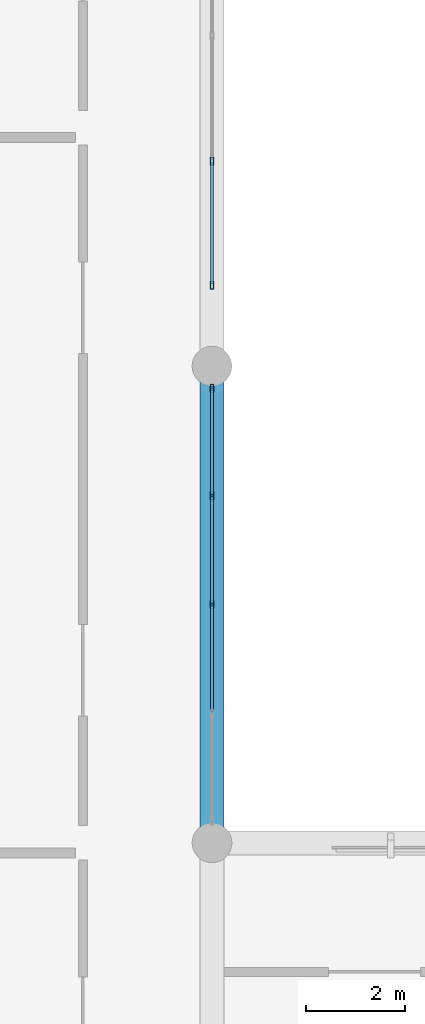
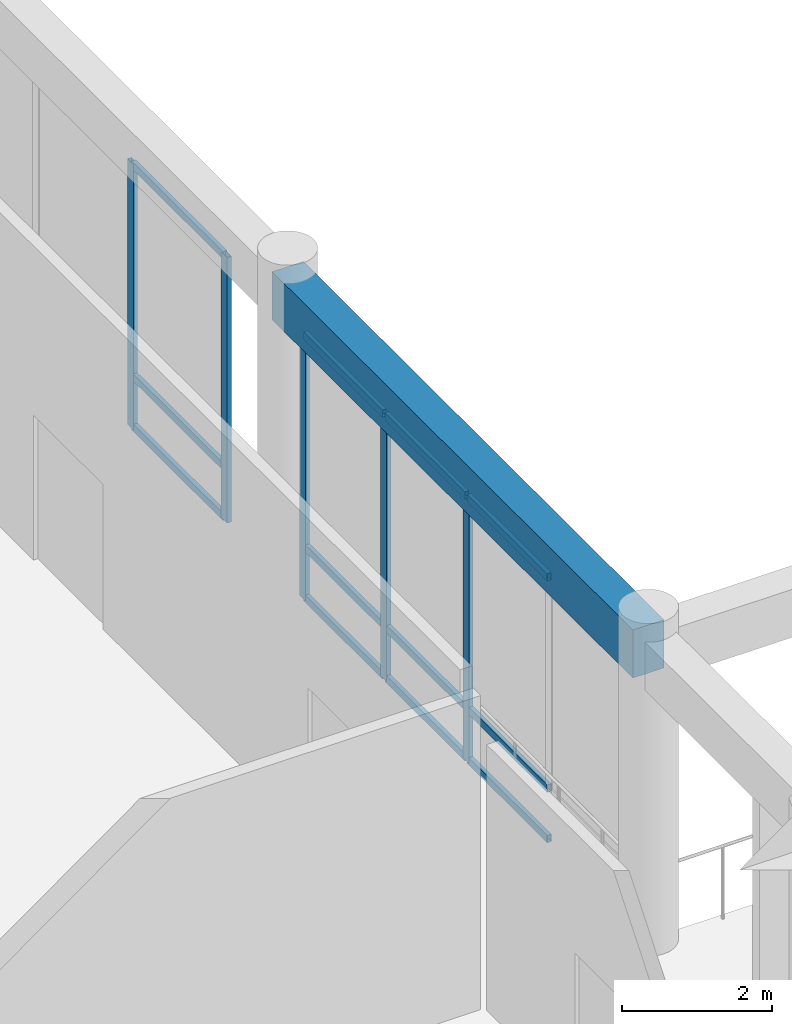
# One storey, part 28 of 134: 17 members, 1 beam, 2 elements without a shape of their own.
"""IFC4 building model written with IfcOpenShell, lengths in metres."""

from ifc_helpers import new_model, si_unit, direction, frame, origin, origin_2d, place, context, subcontext, project, spatial, rectangle, hollow_rectangle, extrude, material, layer, layer_set, material_profile, profile_set, type_object, element, aggregate, save


model = new_model("IFC4")

# Units and contexts
model_context = context("Model", 3, precision=1e-05, world=origin(), true_north=direction((0.0, 1.0)))
body_context = subcontext(model_context, "Body", "Model", "MODEL_VIEW")
ifc_project = project(units=[si_unit("LENGTHUNIT", "METRE"), si_unit("AREAUNIT", "SQUARE_METRE"), si_unit("VOLUMEUNIT", "CUBIC_METRE"), si_unit("PLANEANGLEUNIT", "RADIAN"), si_unit("MASSUNIT", "GRAM", prefix="KILO")], contexts=[model_context])

# Site, building, storey
site_placement = place(None, origin())
site = spatial("IfcSite", under=ifc_project, at=site_placement, CompositionType="ELEMENT")
building_placement = place(site_placement, origin())
building = spatial("IfcBuilding", under=site, at=building_placement, Name="Nakhvara Creek Congress Hotel", CompositionType="ELEMENT")
storey_placement = place(building_placement, frame((0.0, 0.0, 6.0)))
storey = spatial("IfcBuildingStorey", under=building, at=storey_placement, Name="L01", CompositionType="ELEMENT", Elevation=6.0)

# Beam
ifc_material_1 = material(Name="Concrete C40/50", Category="concrete")
ifc_material_profile_1 = material_profile(ifc_material_1, rectangle(XDim=0.47998046875, YDim=0.780029296875, at=origin_2d()), Name="RC-BM 480x780", Category="LoadBearing")
ifc_profile_set_1 = profile_set([ifc_material_profile_1], Name="Concrete C40/50")
beam_type = type_object("IfcBeamType", Name="BM-RC-480X780", PredefinedType="BEAM", material=ifc_profile_set_1)
beam_placement = place(storey_placement, frame((76.800048828125, 43.199951171875, 4.7099609375), z_axis=(0.0, 1.0, 0.0), x_axis=(-1.0, 0.0, 0.0)))
element("IfcBeam", 1, at=beam_placement, inside=storey, type_object=beam_type, Name="Beam B13-L01-1154", PredefinedType="BEAM", context=body_context, shape_type="SweptSolid", body=[
    extrude(rectangle(XDim=0.47998046875, YDim=0.780029296875, at=origin_2d()), origin(), (0.0, 0.0, 1.0), 9.60009765625),
])

# Curtain wall, members
ifc_material_2 = material(Name="Bronze-anodised aluminium AW-6063-T6 and double-silver low-E glass", Category="aluminium")
ifc_layer = layer(ifc_material_2, 0.199951171875)
ifc_layer_set = layer_set([ifc_layer], Name="Bronze-anodised aluminium AW-6063-T6 and double-silver low-E glass")
curtain_wall_type = type_object("IfcCurtainWallType", Name="CW-POD-STICK", PredefinedType="NOTDEFINED", material=ifc_layer_set)
curtain_wall_1_placement = place(storey_placement, origin())
curtain_wall_1 = element("IfcCurtainWall", 2, at=curtain_wall_1_placement, inside=storey, type_object=curtain_wall_type, Name="Curtain Wall CW027", PredefinedType="NOTDEFINED")
ifc_material_3 = material(Name="Bronze-anodised aluminium AW-6063-T6", Category="aluminium")
ifc_material_profile_2 = material_profile(ifc_material_3, hollow_rectangle(XDim=0.06494140625, YDim=0.159912109375, WallThickness=0.00390625, at=origin_2d()), Name="ALU-MULL 65x160x4", Category="LoadBearing")
ifc_profile_set_2 = profile_set([ifc_material_profile_2], Name="Bronze-anodised aluminium AW-6063-T6")
member_type_1 = type_object("IfcMemberType", Name="CW-MULL-160", PredefinedType="MULLION", material=ifc_profile_set_2)
member_1_placement = place(storey_placement, frame((76.800048828125, 52.3525390625, 0.0), z_axis=(0.0, 0.0, 1.0), x_axis=(1.0, 0.0, 0.0)))
member_1 = element("IfcMember", 3, at=member_1_placement, type_object=member_type_1, Name="CW027 mullion 1", PredefinedType="MULLION", context=body_context, shape_type="SweptSolid", body=[
    extrude(hollow_rectangle(XDim=0.06494140625, YDim=0.159912109375, WallThickness=0.00390625, at=origin_2d()), origin(), (0.0, 0.0, 1.0), 4.31201171875),
])
member_2_placement = place(storey_placement, frame((76.800048828125, 50.1923828125, 0.0), z_axis=(0.0, 0.0, 1.0), x_axis=(1.0, 0.0, 0.0)))
member_2 = element("IfcMember", 4, at=member_2_placement, type_object=member_type_1, Name="CW027 mullion 2", PredefinedType="MULLION", context=body_context, shape_type="SweptSolid", body=[
    extrude(hollow_rectangle(XDim=0.06494140625, YDim=0.159912109375, WallThickness=0.00390625, at=origin_2d()), origin(), (0.0, 0.0, 1.0), 4.31201171875),
])
member_3_placement = place(storey_placement, frame((76.800048828125, 48.0, 0.0), z_axis=(0.0, 0.0, 1.0), x_axis=(1.0, 0.0, 0.0)))
member_3 = element("IfcMember", 5, at=member_3_placement, type_object=member_type_1, Name="CW027 mullion 3", PredefinedType="MULLION", context=body_context, shape_type="SweptSolid", body=[
    extrude(hollow_rectangle(XDim=0.06494140625, YDim=0.159912109375, WallThickness=0.00390625, at=origin_2d()), origin(), (0.0, 0.0, 1.0), 4.31201171875),
])

curtain_wall_2_placement = place(storey_placement, origin())
curtain_wall_2 = element("IfcCurtainWall", 6, at=curtain_wall_2_placement, inside=storey, type_object=curtain_wall_type, Name="Curtain Wall CW029", PredefinedType="NOTDEFINED")
member_4_placement = place(storey_placement, frame((76.800048828125, 56.92822265625, 0.0), z_axis=(0.0, 0.0, 1.0), x_axis=(1.0, 0.0, 0.0)))
member_4 = element("IfcMember", 7, at=member_4_placement, type_object=member_type_1, Name="CW029 mullion 3", PredefinedType="MULLION", context=body_context, shape_type="SweptSolid", body=[
    extrude(hollow_rectangle(XDim=0.06494140625, YDim=0.159912109375, WallThickness=0.00390625, at=origin_2d()), origin(), (0.0, 0.0, 1.0), 4.31201171875),
])
member_5_placement = place(storey_placement, frame((76.800048828125, 54.4326171875, 0.0), z_axis=(0.0, 0.0, 1.0), x_axis=(1.0, 0.0, 0.0)))
member_5 = element("IfcMember", 8, at=member_5_placement, type_object=member_type_1, Name="CW029 mullion 4", PredefinedType="MULLION", context=body_context, shape_type="SweptSolid", body=[
    extrude(hollow_rectangle(XDim=0.06494140625, YDim=0.159912109375, WallThickness=0.00390625, at=origin_2d()), origin(), (0.0, 0.0, 1.0), 4.31201171875),
])

# Member
ifc_material_profile_3 = material_profile(ifc_material_3, hollow_rectangle(XDim=0.06494140625, YDim=0.1201171875, WallThickness=0.00390625, at=origin_2d()), Name="ALU-TRAN 65x120x4", Category="LoadBearing")
ifc_profile_set_3 = profile_set([ifc_material_profile_3], Name="Bronze-anodised aluminium AW-6063-T6")
member_type_2 = type_object("IfcMemberType", Name="CW-TRAN-120", PredefinedType="USERDEFINED", material=ifc_profile_set_3)
member_6_placement = place(storey_placement, frame((76.800048828125, 52.320068359375, 0.032470703125), z_axis=(0.0, -1.0, 0.0), x_axis=(1.0, 0.0, 0.0)))
member_6 = element("IfcMember", 9, at=member_6_placement, type_object=member_type_2, Name="CW027 transom 1.1", ObjectType="TRANSOM", PredefinedType="USERDEFINED", context=body_context, shape_type="SweptSolid", body=[
    extrude(hollow_rectangle(XDim=0.06494140625, YDim=0.1201171875, WallThickness=0.00390625, at=origin_2d()), origin(), (0.0, 0.0, 1.0), 2.094970703125),
])

member_7_placement = place(storey_placement, frame((76.800048828125, 52.320068359375, 0.85009765625), z_axis=(0.0, -1.0, 0.0), x_axis=(1.0, 0.0, 0.0)))
member_7 = element("IfcMember", 10, at=member_7_placement, type_object=member_type_2, Name="CW027 transom 1.2", ObjectType="TRANSOM", PredefinedType="USERDEFINED", context=body_context, shape_type="SweptSolid", body=[
    extrude(hollow_rectangle(XDim=0.06494140625, YDim=0.1201171875, WallThickness=0.00390625, at=origin_2d()), origin(), (0.0, 0.0, 1.0), 2.094970703125),
])

member_8_placement = place(storey_placement, frame((76.800048828125, 52.320068359375, 4.279541015625), z_axis=(0.0, -1.0, 0.0), x_axis=(1.0, 0.0, 0.0)))
member_8 = element("IfcMember", 11, at=member_8_placement, type_object=member_type_2, Name="CW027 transom 1.3", ObjectType="TRANSOM", PredefinedType="USERDEFINED", context=body_context, shape_type="SweptSolid", body=[
    extrude(hollow_rectangle(XDim=0.06494140625, YDim=0.1201171875, WallThickness=0.00390625, at=origin_2d()), origin(), (0.0, 0.0, 1.0), 2.094970703125),
])

member_9_placement = place(storey_placement, frame((76.800048828125, 50.159912109375, 0.032470703125), z_axis=(0.0, -1.0, 0.0), x_axis=(1.0, 0.0, 0.0)))
member_9 = element("IfcMember", 12, at=member_9_placement, type_object=member_type_2, Name="CW027 transom 2.1", ObjectType="TRANSOM", PredefinedType="USERDEFINED", context=body_context, shape_type="SweptSolid", body=[
    extrude(hollow_rectangle(XDim=0.06494140625, YDim=0.1201171875, WallThickness=0.00390625, at=origin_2d()), origin(), (0.0, 0.0, 1.0), 2.12744140625),
])

member_10_placement = place(storey_placement, frame((76.800048828125, 50.159912109375, 0.85009765625), z_axis=(0.0, -1.0, 0.0), x_axis=(1.0, 0.0, 0.0)))
member_10 = element("IfcMember", 13, at=member_10_placement, type_object=member_type_2, Name="CW027 transom 2.2", ObjectType="TRANSOM", PredefinedType="USERDEFINED", context=body_context, shape_type="SweptSolid", body=[
    extrude(hollow_rectangle(XDim=0.06494140625, YDim=0.1201171875, WallThickness=0.00390625, at=origin_2d()), origin(), (0.0, 0.0, 1.0), 2.12744140625),
])

member_11_placement = place(storey_placement, frame((76.800048828125, 50.159912109375, 4.279541015625), z_axis=(0.0, -1.0, 0.0), x_axis=(1.0, 0.0, 0.0)))
member_11 = element("IfcMember", 14, at=member_11_placement, type_object=member_type_2, Name="CW027 transom 2.3", ObjectType="TRANSOM", PredefinedType="USERDEFINED", context=body_context, shape_type="SweptSolid", body=[
    extrude(hollow_rectangle(XDim=0.06494140625, YDim=0.1201171875, WallThickness=0.00390625, at=origin_2d()), origin(), (0.0, 0.0, 1.0), 2.12744140625),
])

member_12_placement = place(storey_placement, frame((76.800048828125, 47.967529296875, 0.032470703125), z_axis=(0.0, -1.0, 0.0), x_axis=(1.0, 0.0, 0.0)))
member_12 = element("IfcMember", 15, at=member_12_placement, type_object=member_type_2, Name="CW027 transom 3.1", ObjectType="TRANSOM", PredefinedType="USERDEFINED", context=body_context, shape_type="SweptSolid", body=[
    extrude(hollow_rectangle(XDim=0.06494140625, YDim=0.1201171875, WallThickness=0.00390625, at=origin_2d()), origin(), (0.0, 0.0, 1.0), 2.12744140625),
])

member_13_placement = place(storey_placement, frame((76.800048828125, 47.967529296875, 0.85009765625), z_axis=(0.0, -1.0, 0.0), x_axis=(1.0, 0.0, 0.0)))
member_13 = element("IfcMember", 16, at=member_13_placement, type_object=member_type_2, Name="CW027 transom 3.2", ObjectType="TRANSOM", PredefinedType="USERDEFINED", context=body_context, shape_type="SweptSolid", body=[
    extrude(hollow_rectangle(XDim=0.06494140625, YDim=0.1201171875, WallThickness=0.00390625, at=origin_2d()), origin(), (0.0, 0.0, 1.0), 2.12744140625),
])

member_14_placement = place(storey_placement, frame((76.800048828125, 47.967529296875, 4.279541015625), z_axis=(0.0, -1.0, 0.0), x_axis=(1.0, 0.0, 0.0)))
member_14 = element("IfcMember", 17, at=member_14_placement, type_object=member_type_2, Name="CW027 transom 3.3", ObjectType="TRANSOM", PredefinedType="USERDEFINED", context=body_context, shape_type="SweptSolid", body=[
    extrude(hollow_rectangle(XDim=0.06494140625, YDim=0.1201171875, WallThickness=0.00390625, at=origin_2d()), origin(), (0.0, 0.0, 1.0), 2.12744140625),
])

aggregate(curtain_wall_1, [member_1, member_2, member_3, member_6, member_7, member_8, member_9, member_10, member_11, member_12, member_13, member_14])

member_15_placement = place(storey_placement, frame((76.800048828125, 56.895751953125, 0.032470703125), z_axis=(0.0, -1.0, 0.0), x_axis=(1.0, 0.0, 0.0)))
member_15 = element("IfcMember", 18, at=member_15_placement, type_object=member_type_2, Name="CW029 transom 3.1", ObjectType="TRANSOM", PredefinedType="USERDEFINED", context=body_context, shape_type="SweptSolid", body=[
    extrude(hollow_rectangle(XDim=0.06494140625, YDim=0.1201171875, WallThickness=0.00390625, at=origin_2d()), origin(), (0.0, 0.0, 1.0), 2.4306640625),
])

member_16_placement = place(storey_placement, frame((76.800048828125, 56.895751953125, 0.85009765625), z_axis=(0.0, -1.0, 0.0), x_axis=(1.0, 0.0, 0.0)))
member_16 = element("IfcMember", 19, at=member_16_placement, type_object=member_type_2, Name="CW029 transom 3.2", ObjectType="TRANSOM", PredefinedType="USERDEFINED", context=body_context, shape_type="SweptSolid", body=[
    extrude(hollow_rectangle(XDim=0.06494140625, YDim=0.1201171875, WallThickness=0.00390625, at=origin_2d()), origin(), (0.0, 0.0, 1.0), 2.4306640625),
])

member_17_placement = place(storey_placement, frame((76.800048828125, 56.895751953125, 4.279541015625), z_axis=(0.0, -1.0, 0.0), x_axis=(1.0, 0.0, 0.0)))
member_17 = element("IfcMember", 20, at=member_17_placement, type_object=member_type_2, Name="CW029 transom 3.3", ObjectType="TRANSOM", PredefinedType="USERDEFINED", context=body_context, shape_type="SweptSolid", body=[
    extrude(hollow_rectangle(XDim=0.06494140625, YDim=0.1201171875, WallThickness=0.00390625, at=origin_2d()), origin(), (0.0, 0.0, 1.0), 2.4306640625),
])

aggregate(curtain_wall_2, [member_4, member_5, member_15, member_16, member_17])

save(model, "model.ifc")
